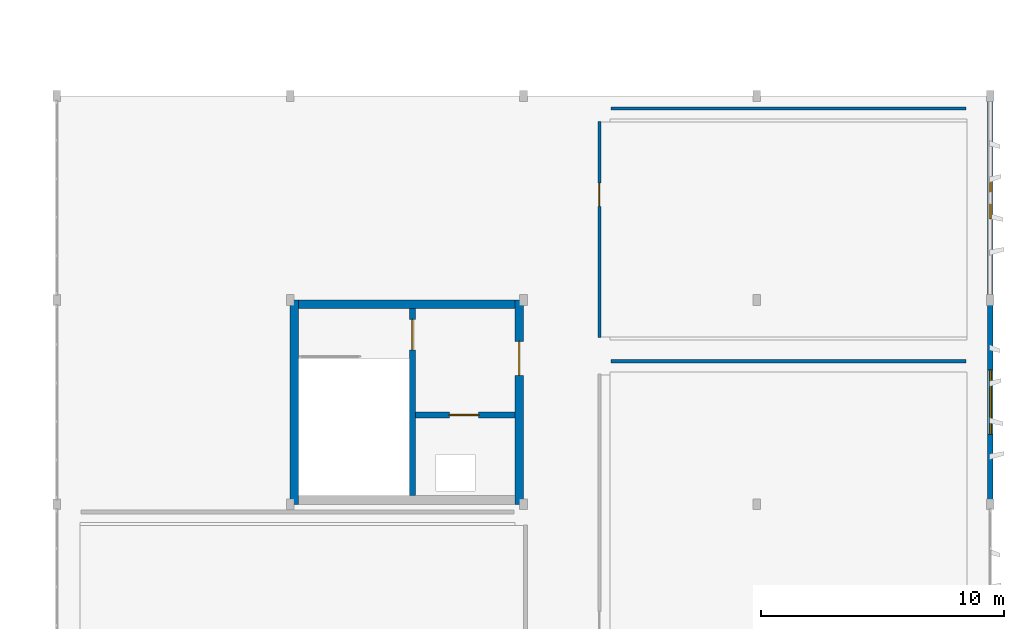
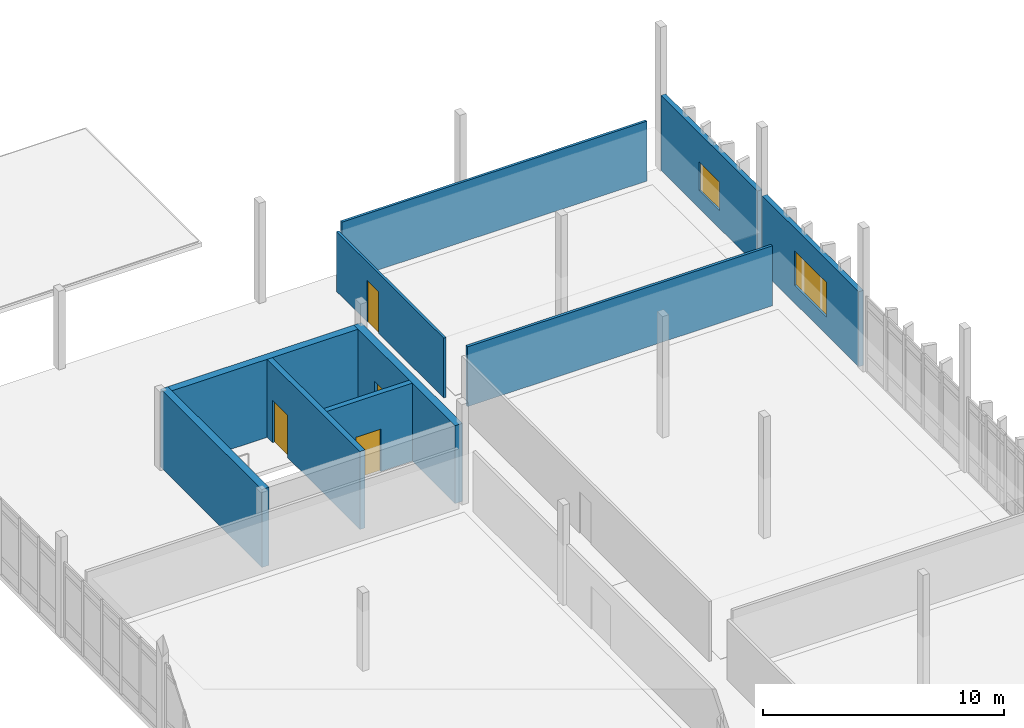
# One storey, part 47 of 61: 10 walls, 4 doors, 2 windows, 6 openings.
"""IFC4 building model written with IfcOpenShell, lengths in metres."""

from ifc_helpers import new_model, si_unit, direction, frame, frame_2d, origin, place, context, subcontext, project, spatial, rectangle, extrude, material, layer, layer_set, type_object, element, fill, save


model = new_model("IFC4")

# Units and contexts
model_context = context("Model", 3, precision=1e-05, world=origin(), true_north=direction((0.0, 1.0)))
body_context = subcontext(model_context, "Body", "Model", "MODEL_VIEW")
ifc_project = project(units=[si_unit("LENGTHUNIT", "METRE"), si_unit("AREAUNIT", "SQUARE_METRE"), si_unit("VOLUMEUNIT", "CUBIC_METRE"), si_unit("PLANEANGLEUNIT", "RADIAN"), si_unit("MASSUNIT", "GRAM", prefix="KILO")], contexts=[model_context])

# Site, building, storey
site_placement = place(None, origin())
site = spatial("IfcSite", under=ifc_project, at=site_placement, CompositionType="ELEMENT")
building_placement = place(site_placement, origin())
building = spatial("IfcBuilding", under=site, at=building_placement, Name="Kolvemor Railside Polytechnic", CompositionType="ELEMENT")
storey_placement = place(building_placement, frame((0.0, 0.0, 10.199951171875)))
storey = spatial("IfcBuildingStorey", under=building, at=storey_placement, Name="L02", CompositionType="ELEMENT", Elevation=10.199951171875)

# Walls
ifc_material_1 = material(Name="Concrete C40/50", Category="concrete")
ifc_layer_1 = layer(ifc_material_1, 0.35009765625, Name="WL-CORE-350")
ifc_layer_set_1 = layer_set([ifc_layer_1], Name="Concrete C40/50")
wall_type_1 = type_object("IfcWallType", Name="WL-CORE-350", PredefinedType="SHEAR", material=ifc_layer_set_1)
wall_1_placement = place(storey_placement, frame((153.60009765625, 68.22509765625, 0.0), z_axis=(0.0, 0.0, 1.0), x_axis=(1.0, 0.0, 0.0)))
element("IfcWall", 1, at=wall_1_placement, inside=storey, type_object=wall_type_1, Name="CORE-7 North Core Wall L02", PredefinedType="SHEAR", context=body_context, shape_type="SweptSolid", body=[
    extrude(rectangle(XDim=9.599853515625, YDim=0.35009765625, at=frame_2d((4.7998046875, 0.0))), origin(), (0.0, 0.0, 1.0), 3.949951171875),
])
wall_2_placement = place(storey_placement, frame((153.77490234375, 60.0, 0.0), z_axis=(0.0, 0.0, 1.0), x_axis=(0.0, 1.0, 0.0)))
element("IfcWall", 2, at=wall_2_placement, inside=storey, type_object=wall_type_1, Name="CORE-7 West Core Wall L02", PredefinedType="SHEAR", context=body_context, shape_type="SweptSolid", body=[
    extrude(rectangle(XDim=8.39990234375, YDim=0.35009765625, at=frame_2d((4.199951171875, 0.0))), origin(), (0.0, 0.0, 1.0), 3.949951171875),
])

# Wall, opening, door
wall_3_placement = place(storey_placement, frame((163.02490234375, 60.0, 0.0), z_axis=(0.0, 0.0, 1.0), x_axis=(0.0, 1.0, 0.0)))
wall_3 = element("IfcWall", 3, at=wall_3_placement, inside=storey, type_object=wall_type_1, Name="CORE-7 East Core Wall L02", PredefinedType="SHEAR", context=body_context, shape_type="SweptSolid", body=[
    extrude(rectangle(XDim=8.39990234375, YDim=0.35009765625, at=frame_2d((4.199951171875, 0.0))), origin(), (0.0, 0.0, 1.0), 3.949951171875),
])
opening_1_placement = place(wall_3_placement, frame((5.300048828125, 0.0, 0.0)))
opening_1 = element("IfcOpeningElement", 4, at=opening_1_placement, cuts=wall_3, Name="Opening D-LOB-7-L02", PredefinedType="OPENING", context=body_context, shape_type="SweptSolid", body=[
    extrude(rectangle(XDim=1.39990234375, YDim=2.14990234375, at=frame_2d((0.699951171875, 1.074951171875))), frame((0.0, 0.18505859375, 0.0), z_axis=(0.0, -1.0, 0.0), x_axis=(1.0, 0.0, 0.0)), (0.0, 0.0, 1.0), 0.3701171875),
])
ifc_material_2 = material(Name="Fire-rated hardwood and brushed stainless-steel door", Category="steel")
door_type_1 = type_object("IfcDoorType", Name="DR-FD60-140x215", OperationType="NOTDEFINED", PredefinedType="DOOR", material=ifc_material_2)
door_1_placement = place(opening_1_placement, origin())
door_1 = element("IfcDoor", 5, at=door_1_placement, inside=storey, type_object=door_type_1, Name="Core Lobby Fire Door CORE-7 L02", OperationType="SINGLE_SWING_LEFT", OverallHeight=2.14990234375, OverallWidth=1.39990234375, PredefinedType="DOOR", context=body_context, shape_type="SweptSolid", body=[
    extrude(rectangle(XDim=1.39990234375, YDim=2.14990234375, at=frame_2d((0.699951171875, 1.074951171875))), frame((0.0, 0.02490234375, 0.0), z_axis=(0.0, -1.0, 0.0), x_axis=(1.0, 0.0, 0.0)), (0.0, 0.0, 1.0), 0.050048828125),
])
fill(opening_1, door_1)

# Wall, opening, window
ifc_material_3 = material(Name="Cross-laminated timber CLT E1", Category="wood")
ifc_layer_2 = layer(ifc_material_3, 0.22509765625, Name="WL-EXT-TM-225")
ifc_layer_set_2 = layer_set([ifc_layer_2], Name="Cross-laminated timber CLT E1")
wall_type_2 = type_object("IfcWallType", Name="WL-EXT-TM-225", PredefinedType="SOLIDWALL", material=ifc_layer_set_2)
wall_4_placement = place(storey_placement, frame((182.39990234375, 60.199951171875, 0.0), z_axis=(0.0, 0.0, 1.0), x_axis=(0.0, 1.0, 0.0)))
wall_4 = element("IfcWall", 6, at=wall_4_placement, inside=storey, type_object=wall_type_2, Name="Exterior Wall L02-0073", PredefinedType="SOLIDWALL", context=body_context, shape_type="SweptSolid", body=[
    extrude(rectangle(XDim=8.0, YDim=0.22509765625, at=frame_2d((4.0, 0.0))), origin(), (0.0, 0.0, 1.0), 3.800048828125),
])
opening_2_placement = place(wall_4_placement, frame((2.675048828125, 0.0, 0.89990234375)))
opening_2 = element("IfcOpeningElement", 7, at=opening_2_placement, cuts=wall_4, Name="Opening WN-M14", PredefinedType="OPENING", context=body_context, shape_type="SweptSolid", body=[
    extrude(rectangle(XDim=2.64990234375, YDim=1.75, at=frame_2d((1.324951171875, 0.875))), frame((0.0, 0.12255859375, 0.0), z_axis=(0.0, -1.0, 0.0), x_axis=(1.0, 0.0, 0.0)), (0.0, 0.0, 1.0), 0.2451171875),
])
ifc_material_4 = material(Name="Hurricane-laminated thermally broken aluminium window", Category="aluminium")
window_type_1 = type_object("IfcWindowType", Name="WN-MOD-265x175", PartitioningType="DOUBLE_PANEL_VERTICAL", PredefinedType="WINDOW", material=ifc_material_4)
window_1_placement = place(opening_2_placement, origin())
window_1 = element("IfcWindow", 8, at=window_1_placement, inside=storey, type_object=window_type_1, Name="Window L02-0074", OverallHeight=1.75, OverallWidth=2.64990234375, PartitioningType="SINGLE_PANEL", PredefinedType="WINDOW", context=body_context, shape_type="SweptSolid", body=[
    extrude(rectangle(XDim=2.64990234375, YDim=1.75, at=frame_2d((1.324951171875, 0.875))), frame((0.0, 0.030029296875, 0.0), z_axis=(0.0, -1.0, 0.0), x_axis=(1.0, 0.0, 0.0)), (0.0, 0.0, 1.0), 0.06005859375),
])
fill(opening_2, window_1)

wall_5_placement = place(storey_placement, frame((182.39990234375, 68.60009765625, 0.0), z_axis=(0.0, 0.0, 1.0), x_axis=(0.0, 1.0, 0.0)))
wall_5 = element("IfcWall", 9, at=wall_5_placement, inside=storey, type_object=wall_type_2, Name="Exterior Wall L02-0080", PredefinedType="SOLIDWALL", context=body_context, shape_type="SweptSolid", body=[
    extrude(rectangle(XDim=8.0, YDim=0.22509765625, at=frame_2d((4.0, 0.0))), origin(), (0.0, 0.0, 1.0), 3.800048828125),
])
opening_3_placement = place(wall_5_placement, frame((3.14990234375, 0.0, 0.89990234375)))
opening_3 = element("IfcOpeningElement", 10, at=opening_3_placement, cuts=wall_5, Name="Opening WN-M19", PredefinedType="OPENING", context=body_context, shape_type="SweptSolid", body=[
    extrude(rectangle(XDim=1.699951171875, YDim=1.449951171875, at=frame_2d((0.85009765625, 0.72509765625))), frame((0.0, 0.12255859375, 0.0), z_axis=(0.0, -1.0, 0.0), x_axis=(1.0, 0.0, 0.0)), (0.0, 0.0, 1.0), 0.2451171875),
])
ifc_material_5 = material(Name="Hurricane-laminated thermally broken aluminium window", Category="aluminium")
window_type_2 = type_object("IfcWindowType", Name="WN-MOD-170x145", PartitioningType="SINGLE_PANEL", PredefinedType="WINDOW", material=ifc_material_5)
window_2_placement = place(opening_3_placement, origin())
window_2 = element("IfcWindow", 11, at=window_2_placement, inside=storey, type_object=window_type_2, Name="Window L02-0084", OverallHeight=1.449951171875, OverallWidth=1.699951171875, PartitioningType="SINGLE_PANEL", PredefinedType="WINDOW", context=body_context, shape_type="SweptSolid", body=[
    extrude(rectangle(XDim=1.699951171875, YDim=1.449951171875, at=frame_2d((0.85009765625, 0.72509765625))), frame((0.0, 0.030029296875, 0.0), z_axis=(0.0, -1.0, 0.0), x_axis=(1.0, 0.0, 0.0)), (0.0, 0.0, 1.0), 0.06005859375),
])
fill(opening_3, window_2)

# Wall, opening, door
ifc_material_6 = material(Name="Wet-area tile-backer partition")
ifc_layer_3 = layer(ifc_material_6, 0.1201171875, Name="WL-PART-120")
ifc_layer_set_3 = layer_set([ifc_layer_3], Name="Wet-area tile-backer partition")
wall_type_3 = type_object("IfcWallType", Name="WL-PART-120", PredefinedType="PARTITIONING", material=ifc_layer_set_3)
wall_6_placement = place(storey_placement, frame((166.320068359375, 66.85009765625, 0.0), z_axis=(0.0, 0.0, 1.0), x_axis=(0.0, 1.0, 0.0)))
wall_6 = element("IfcWall", 12, at=wall_6_placement, inside=storey, type_object=wall_type_3, Name="Partition Wall L02-0164", PredefinedType="PARTITIONING", context=body_context, shape_type="SweptSolid", body=[
    extrude(rectangle(XDim=8.89990234375, YDim=0.1201171875, at=frame_2d((4.449951171875, 0.0))), origin(), (0.0, 0.0, 1.0), 3.030029296875),
])
opening_4_placement = place(wall_6_placement, frame((5.405029296875, 0.0, 0.0)))
opening_4 = element("IfcOpeningElement", 13, at=opening_4_placement, cuts=wall_6, Name="Opening D-02093", PredefinedType="OPENING", context=body_context, shape_type="SweptSolid", body=[
    extrude(rectangle(XDim=0.949951171875, YDim=2.10009765625, at=frame_2d((0.47509765625, 1.050048828125))), frame((0.0, 0.070068359375, 0.0), z_axis=(0.0, -1.0, 0.0), x_axis=(1.0, 0.0, 0.0)), (0.0, 0.0, 1.0), 0.14013671875),
])
ifc_material_7 = material(Name="Solid hardwood acoustic door", Category="wood")
door_type_2 = type_object("IfcDoorType", Name="DR-WC-095x210", OperationType="NOTDEFINED", PredefinedType="DOOR", material=ifc_material_7)
door_2_placement = place(opening_4_placement, origin())
door_2 = element("IfcDoor", 14, at=door_2_placement, inside=storey, type_object=door_type_2, Name="Room Door D-02093 (East Lounge Public and Accessible WC L02)", OperationType="SINGLE_SWING_RIGHT", OverallHeight=2.10009765625, OverallWidth=0.949951171875, PredefinedType="DOOR", context=body_context, shape_type="SweptSolid", body=[
    extrude(rectangle(XDim=0.949951171875, YDim=2.10009765625, at=frame_2d((0.47509765625, 1.050048828125))), frame((0.0, 0.02490234375, 0.0), z_axis=(0.0, -1.0, 0.0), x_axis=(1.0, 0.0, 0.0)), (0.0, 0.0, 1.0), 0.050048828125),
])
fill(opening_4, door_2)

# Walls
wall_7_placement = place(storey_placement, frame((166.800048828125, 76.280029296875, 0.0), z_axis=(0.0, 0.0, 1.0), x_axis=(1.0, 0.0, 0.0)))
element("IfcWall", 15, at=wall_7_placement, inside=storey, type_object=wall_type_3, Name="Demising Partition L02-0165", PredefinedType="PARTITIONING", context=body_context, shape_type="SweptSolid", body=[
    extrude(rectangle(XDim=14.599853515625, YDim=0.1201171875, at=frame_2d((7.2998046875, 0.0))), origin(), (0.0, 0.0, 1.0), 3.030029296875),
])
ifc_material_8 = material(Name="Departmental partition")
ifc_layer_4 = layer(ifc_material_8, 0.1298828125, Name="WL-PART-130")
ifc_layer_set_4 = layer_set([ifc_layer_4], Name="Departmental partition")
wall_type_4 = type_object("IfcWallType", Name="WL-PART-130", PredefinedType="PARTITIONING", material=ifc_layer_set_4)
wall_8_placement = place(storey_placement, frame((166.800048828125, 65.8798828125, 0.0), z_axis=(0.0, 0.0, 1.0), x_axis=(1.0, 0.0, 0.0)))
element("IfcWall", 16, at=wall_8_placement, inside=storey, type_object=wall_type_4, Name="Demising Partition L02-0163", PredefinedType="PARTITIONING", context=body_context, shape_type="SweptSolid", body=[
    extrude(rectangle(XDim=14.599853515625, YDim=0.1298828125, at=frame_2d((7.2998046875, 0.0))), origin(), (0.0, 0.0, 1.0), 3.030029296875),
])

# Wall, opening, door
ifc_material_9 = material(Name="Concrete C40/50", Category="concrete")
ifc_layer_5 = layer(ifc_material_9, 0.25, Name="WL-SHFT-250")
ifc_layer_set_5 = layer_set([ifc_layer_5], Name="Concrete C40/50")
wall_type_5 = type_object("IfcWallType", Name="WL-SHFT-250", PredefinedType="SHEAR", material=ifc_layer_set_5)
wall_9_placement = place(storey_placement, frame((158.625, 68.050048828125, 0.0), z_axis=(0.0, 0.0, 1.0), x_axis=(0.0, -1.0, 0.0)))
wall_9 = element("IfcWall", 17, at=wall_9_placement, inside=storey, type_object=wall_type_5, Name="CORE-7 Stair-Lobby Divider Wall L02", PredefinedType="SHEAR", context=body_context, shape_type="SweptSolid", body=[
    extrude(rectangle(XDim=7.699951171875, YDim=0.25, at=frame_2d((3.85009765625, 0.0))), origin(), (0.0, 0.0, 1.0), 3.949951171875),
])
opening_5_placement = place(wall_9_placement, frame((0.449951171875, 0.0, 0.0)))
opening_5 = element("IfcOpeningElement", 18, at=opening_5_placement, cuts=wall_9, Name="Opening D-ST-7-L02", PredefinedType="OPENING", context=body_context, shape_type="SweptSolid", body=[
    extrude(rectangle(XDim=1.25, YDim=2.14990234375, at=frame_2d((0.625, 1.074951171875))), frame((0.0, 0.135009765625, 0.0), z_axis=(0.0, -1.0, 0.0), x_axis=(1.0, 0.0, 0.0)), (0.0, 0.0, 1.0), 0.27001953125),
])
ifc_material_10 = material(Name="Fire-rated hardwood and brushed stainless-steel door", Category="steel")
door_type_3 = type_object("IfcDoorType", Name="DR-FD90-125x215", OperationType="NOTDEFINED", PredefinedType="DOOR", material=ifc_material_10)
door_3_placement = place(opening_5_placement, origin())
door_3 = element("IfcDoor", 19, at=door_3_placement, inside=storey, type_object=door_type_3, Name="Stair Fire Door ST-7 L02", OperationType="SINGLE_SWING_RIGHT", OverallHeight=2.14990234375, OverallWidth=1.25, PredefinedType="DOOR", context=body_context, shape_type="SweptSolid", body=[
    extrude(rectangle(XDim=1.25, YDim=2.14990234375, at=frame_2d((0.625, 1.074951171875))), frame((0.0, 0.02490234375, 0.0), z_axis=(0.0, -1.0, 0.0), x_axis=(1.0, 0.0, 0.0)), (0.0, 0.0, 1.0), 0.050048828125),
])
fill(opening_5, door_3)

wall_10_placement = place(storey_placement, frame((158.75, 63.675048828125, 0.0), z_axis=(0.0, 0.0, 1.0), x_axis=(1.0, 0.0, 0.0)))
wall_10 = element("IfcWall", 20, at=wall_10_placement, inside=storey, type_object=wall_type_5, Name="CORE-7 Lift Shaft Front Wall L02", PredefinedType="SHEAR", context=body_context, shape_type="SweptSolid", body=[
    extrude(rectangle(XDim=4.10009765625, YDim=0.25, at=frame_2d((2.050048828125, 0.0))), origin(), (0.0, 0.0, 1.0), 3.949951171875),
])
opening_6_placement = place(wall_10_placement, frame((1.39990234375, 0.0, 0.0)))
opening_6 = element("IfcOpeningElement", 21, at=opening_6_placement, cuts=wall_10, Name="Opening D-RSR-7-L02", PredefinedType="OPENING", context=body_context, shape_type="SweptSolid", body=[
    extrude(rectangle(XDim=1.199951171875, YDim=2.14990234375, at=frame_2d((0.60009765625, 1.074951171875))), frame((0.0, 0.135009765625, 0.0), z_axis=(0.0, -1.0, 0.0), x_axis=(1.0, 0.0, 0.0)), (0.0, 0.0, 1.0), 0.27001953125),
])
ifc_material_11 = material(Name="Fire-rated hardwood and brushed stainless-steel door", Category="steel")
door_type_4 = type_object("IfcDoorType", Name="DR-FD60-120x215", OperationType="NOTDEFINED", PredefinedType="DOOR", material=ifc_material_11)
door_4_placement = place(opening_6_placement, origin())
door_4 = element("IfcDoor", 22, at=door_4_placement, inside=storey, type_object=door_type_4, Name="Riser Fire Door CORE-7 L02", OperationType="SINGLE_SWING_RIGHT", OverallHeight=2.14990234375, OverallWidth=1.199951171875, PredefinedType="DOOR", context=body_context, shape_type="SweptSolid", body=[
    extrude(rectangle(XDim=1.199951171875, YDim=2.14990234375, at=frame_2d((0.60009765625, 1.074951171875))), frame((0.0, 0.02490234375, 0.0), z_axis=(0.0, -1.0, 0.0), x_axis=(1.0, 0.0, 0.0)), (0.0, 0.0, 1.0), 0.050048828125),
])
fill(opening_6, door_4)

save(model, "model.ifc")
